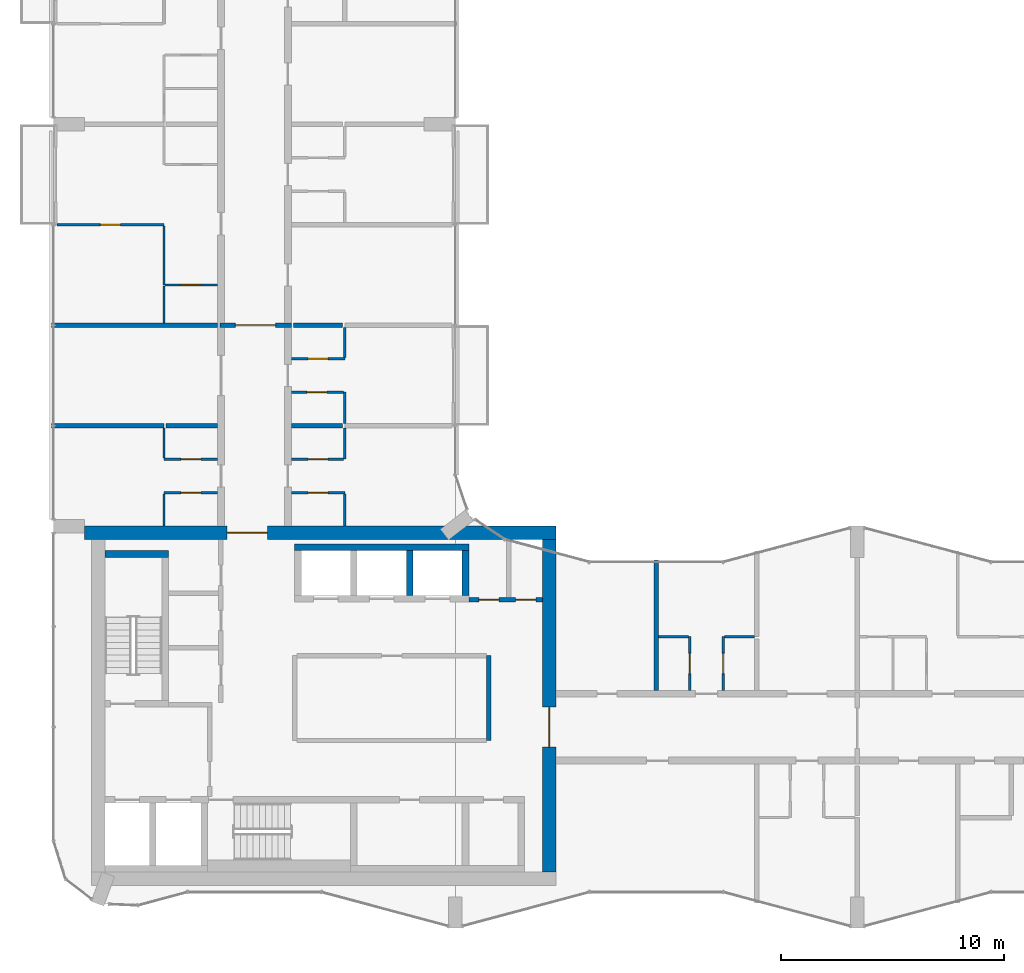
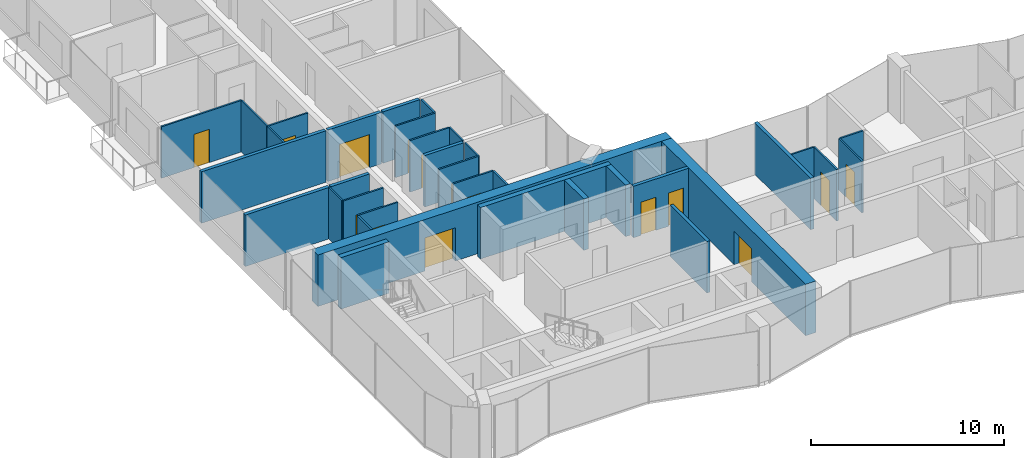
# One storey, part 10 of 15: 35 walls, 15 doors, 15 openings.
"""IFC4 building model written with IfcOpenShell, lengths in metres."""

from ifc_helpers import new_model, si_unit, direction, frame, frame_2d, origin, place, context, subcontext, project, spatial, rectangle, extrude, material, layer, layer_set, type_object, element, fill, save


model = new_model("IFC4")

# Units and contexts
model_context = context("Model", 3, precision=1e-05, world=origin(), true_north=direction((0.0, 1.0)))
body_context = subcontext(model_context, "Body", "Model", "MODEL_VIEW")
ifc_project = project(units=[si_unit("LENGTHUNIT", "METRE"), si_unit("AREAUNIT", "SQUARE_METRE"), si_unit("VOLUMEUNIT", "CUBIC_METRE"), si_unit("PLANEANGLEUNIT", "RADIAN"), si_unit("MASSUNIT", "GRAM", prefix="KILO")], contexts=[model_context])

# Site, building, storey
site_placement = place(None, origin())
site = spatial("IfcSite", under=ifc_project, at=site_placement, CompositionType="ELEMENT")
building_placement = place(site_placement, origin())
building = spatial("IfcBuilding", under=site, at=building_placement, Name="Plateau Cross Towers", CompositionType="ELEMENT")
storey_placement = place(building_placement, frame((0.0, 0.0, 170.89990234375)))
storey = spatial("IfcBuildingStorey", under=building, at=storey_placement, Name="L44", CompositionType="ELEMENT", Elevation=170.89990234375)

# Wall
ifc_material_1 = material(Name="Concrete block, plastered both sides", Category="concrete")
ifc_layer_1 = layer(ifc_material_1, 0.199951171875)
ifc_layer_set_1 = layer_set([ifc_layer_1], Name="Concrete block, plastered both sides")
wall_type_1 = type_object("IfcWallType", Name="Core partition 200", PredefinedType="PARTITIONING", material=ifc_layer_set_1)
wall_1_placement = place(storey_placement, frame((19.5, 8.39990234375, 0.0), z_axis=(0.0, 0.0, 1.0), x_axis=(0.0, 1.0, 0.0)))
element("IfcWall", 1, at=wall_1_placement, inside=storey, type_object=wall_type_1, Name="Core partition", PredefinedType="PARTITIONING", context=body_context, shape_type="SweptSolid", body=[
    extrude(rectangle(XDim=3.800048828125, YDim=0.199951171875, at=frame_2d((1.89990234375, 0.0))), origin(), (0.0, 0.0, 1.0), 3.25),
])

# Wall, openings, doors
wall_2_placement = place(storey_placement, frame((18.60009765625, 14.699951171875, 0.0), z_axis=(0.0, 0.0, 1.0), x_axis=(1.0, 0.0, 0.0)))
wall_2 = element("IfcWall", 2, at=wall_2_placement, inside=storey, type_object=wall_type_1, Name="Core partition", PredefinedType="PARTITIONING", context=body_context, shape_type="SweptSolid", body=[
    extrude(rectangle(XDim=3.2998046875, YDim=0.199951171875, at=frame_2d((1.64990234375, 0.0))), origin(), (0.0, 0.0, 1.0), 3.25),
])
opening_1_placement = place(wall_2_placement, frame((0.449951171875, 0.0, 0.0)))
opening_1 = element("IfcOpeningElement", 3, at=opening_1_placement, cuts=wall_2, Name="Opening RD2", PredefinedType="OPENING", context=body_context, shape_type="SweptSolid", body=[
    extrude(rectangle(XDim=0.89990234375, YDim=2.10009765625, at=frame_2d((0.449951171875, 1.050048828125))), frame((0.0, 0.10986328125, 0.0), z_axis=(0.0, -1.0, 0.0), x_axis=(1.0, 0.0, 0.0)), (0.0, 0.0, 1.0), 0.219970703125),
])
opening_2_placement = place(wall_2_placement, frame((2.10009765625, 0.0, 0.0)))
opening_2 = element("IfcOpeningElement", 4, at=opening_2_placement, cuts=wall_2, Name="Opening RD2", PredefinedType="OPENING", context=body_context, shape_type="SweptSolid", body=[
    extrude(rectangle(XDim=0.89990234375, YDim=2.10009765625, at=frame_2d((0.449951171875, 1.050048828125))), frame((0.0, 0.10986328125, 0.0), z_axis=(0.0, -1.0, 0.0), x_axis=(1.0, 0.0, 0.0)), (0.0, 0.0, 1.0), 0.219970703125),
])
ifc_material_2 = material(Name="Steel, fire-resisting leaf", Category="steel")
door_type_1 = type_object("IfcDoorType", Name="Core riser door 900", OperationType="NOTDEFINED", PredefinedType="DOOR", material=ifc_material_2)
door_1_placement = place(opening_1_placement, origin())
door_1 = element("IfcDoor", 5, at=door_1_placement, inside=storey, type_object=door_type_1, Name="Core riser door RD2", OperationType="SINGLE_SWING_LEFT", OverallHeight=2.10009765625, OverallWidth=0.89990234375, PredefinedType="DOOR", context=body_context, shape_type="SweptSolid", body=[
    extrude(rectangle(XDim=0.89990234375, YDim=2.10009765625, at=frame_2d((0.449951171875, 1.050048828125))), frame((0.0, 0.02490234375, 0.0), z_axis=(0.0, -1.0, 0.0), x_axis=(1.0, 0.0, 0.0)), (0.0, 0.0, 1.0), 0.050048828125),
])
fill(opening_1, door_1)
door_2_placement = place(opening_2_placement, origin())
door_2 = element("IfcDoor", 6, at=door_2_placement, inside=storey, type_object=door_type_1, Name="Core riser door RD2", OperationType="SINGLE_SWING_LEFT", OverallHeight=2.10009765625, OverallWidth=0.89990234375, PredefinedType="DOOR", context=body_context, shape_type="SweptSolid", body=[
    extrude(rectangle(XDim=0.89990234375, YDim=2.10009765625, at=frame_2d((0.449951171875, 1.050048828125))), frame((0.0, 0.02490234375, 0.0), z_axis=(0.0, -1.0, 0.0), x_axis=(1.0, 0.0, 0.0)), (0.0, 0.0, 1.0), 0.050048828125),
])
fill(opening_2, door_2)

# Walls
ifc_material_3 = material(Name="Concrete C60/75", Category="concrete")
ifc_layer_2 = layer(ifc_material_3, 0.300048828125)
ifc_layer_set_2 = layer_set([ifc_layer_2], Name="Concrete C60/75")
wall_type_2 = type_object("IfcWallType", Name="Core shaft wall 300", PredefinedType="SHEAR", material=ifc_layer_set_2)
wall_3_placement = place(storey_placement, frame((2.300048828125, 16.75, 0.0), z_axis=(0.0, 0.0, 1.0), x_axis=(1.0, 0.0, 0.0)))
element("IfcWall", 7, at=wall_3_placement, inside=storey, type_object=wall_type_2, Name="A-st1-N@L44", PredefinedType="SHEAR", context=body_context, shape_type="SweptSolid", body=[
    extrude(rectangle(XDim=2.849853515625, YDim=0.300048828125, at=frame_2d((1.4248046875, 0.0))), origin(), (0.0, 0.0, 1.0), 3.25),
])
wall_4_placement = place(storey_placement, frame((10.800048828125, 17.050048828125, 0.0), z_axis=(0.0, 0.0, 1.0), x_axis=(1.0, 0.0, 0.0)))
element("IfcWall", 8, at=wall_4_placement, inside=storey, type_object=wall_type_2, Name="A-nb-back@L44", PredefinedType="SHEAR", context=body_context, shape_type="SweptSolid", body=[
    extrude(rectangle(XDim=7.800048828125, YDim=0.300048828125, at=frame_2d((3.89990234375, 0.0))), origin(), (0.0, 0.0, 1.0), 3.25),
])
for number, where, z_axis, x_axis, name in (
    (9, (15.949951171875, 14.89990234375, 0.0), (0.0, 0.0, 1.0), (0.0, 1.0, 0.0), "A-nb-v3@L44"),
    (10, (18.449951171875, 14.89990234375, 0.0), (0.0, 0.0, 1.0), (0.0, 1.0, 0.0), "A-nb-v4@L44"),
):
    element("IfcWall", number, at=place(storey_placement, frame(where, z_axis=z_axis, x_axis=x_axis)), inside=storey, type_object=wall_type_2, Name=name, PredefinedType="SHEAR", context=body_context, shape_type="SweptSolid", body=[
        extrude(rectangle(XDim=2.0, YDim=0.300048828125, at=frame_2d((1.0, 0.0))), origin(), (0.0, 0.0, 1.0), 3.25),
    ])

# Wall, opening, door
ifc_layer_3 = layer(ifc_material_3, 0.60009765625)
ifc_layer_set_3 = layer_set([ifc_layer_3], Name="Concrete C60/75")
wall_type_3 = type_object("IfcWallType", Name="Core shell wall 600", PredefinedType="SHEAR", material=ifc_layer_set_3)
wall_5_placement = place(storey_placement, frame((1.3798828125, 17.699951171875, 0.0), z_axis=(0.0, 0.0, 1.0), x_axis=(1.0, 0.0, 0.0)))
wall_5 = element("IfcWall", 11, at=wall_5_placement, inside=storey, type_object=wall_type_3, Name="A-core-N@L44", PredefinedType="SHEAR", context=body_context, shape_type="SweptSolid", body=[
    extrude(rectangle(XDim=21.1201171875, YDim=0.60009765625, at=frame_2d((10.56005859375, 0.0))), origin(), (0.0, 0.0, 1.0), 3.25),
])
opening_3_placement = place(wall_5_placement, frame((6.39990234375, 0.0, 0.0)))
opening_3 = element("IfcOpeningElement", 12, at=opening_3_placement, cuts=wall_5, Name="Opening CD", PredefinedType="OPENING", context=body_context, shape_type="SweptSolid", body=[
    extrude(rectangle(XDim=1.800048828125, YDim=2.10009765625, at=frame_2d((0.89990234375, 1.050048828125))), frame((0.0, 0.31005859375, 0.0), z_axis=(0.0, -1.0, 0.0), x_axis=(1.0, 0.0, 0.0)), (0.0, 0.0, 1.0), 0.6201171875),
])
ifc_material_4 = material(Name="Steel, fire-resisting leaves", Category="steel")
door_type_2 = type_object("IfcDoorType", Name="Corridor door pair 1800", OperationType="NOTDEFINED", PredefinedType="DOOR", material=ifc_material_4)
door_3_placement = place(opening_3_placement, origin())
door_3 = element("IfcDoor", 13, at=door_3_placement, inside=storey, type_object=door_type_2, Name="Corridor door pair CD", OperationType="DOUBLE_DOOR_SINGLE_SWING", OverallHeight=2.10009765625, OverallWidth=1.800048828125, PredefinedType="DOOR", context=body_context, shape_type="SweptSolid", body=[
    extrude(rectangle(XDim=1.800048828125, YDim=2.10009765625, at=frame_2d((0.89990234375, 1.050048828125))), frame((0.0, 0.02490234375, 0.0), z_axis=(0.0, -1.0, 0.0), x_axis=(1.0, 0.0, 0.0)), (0.0, 0.0, 1.0), 0.050048828125),
])
fill(opening_3, door_3)

wall_6_placement = place(storey_placement, frame((22.199951171875, 2.5, 0.0), z_axis=(0.0, 0.0, 1.0), x_axis=(0.0, 1.0, 0.0)))
wall_6 = element("IfcWall", 14, at=wall_6_placement, inside=storey, type_object=wall_type_3, Name="A-core-E@L44", PredefinedType="SHEAR", context=body_context, shape_type="SweptSolid", body=[
    extrude(rectangle(XDim=14.89990234375, YDim=0.60009765625, at=frame_2d((7.449951171875, 0.0))), origin(), (0.0, 0.0, 1.0), 3.25),
])
opening_4_placement = place(wall_6_placement, frame((5.60009765625, 0.0, 0.0)))
opening_4 = element("IfcOpeningElement", 15, at=opening_4_placement, cuts=wall_6, Name="Opening CD", PredefinedType="OPENING", context=body_context, shape_type="SweptSolid", body=[
    extrude(rectangle(XDim=1.800048828125, YDim=2.10009765625, at=frame_2d((0.89990234375, 1.050048828125))), frame((0.0, 0.31005859375, 0.0), z_axis=(0.0, -1.0, 0.0), x_axis=(1.0, 0.0, 0.0)), (0.0, 0.0, 1.0), 0.6201171875),
])
door_4_placement = place(opening_4_placement, origin())
door_4 = element("IfcDoor", 16, at=door_4_placement, inside=storey, type_object=door_type_2, Name="Corridor door pair CD", OperationType="DOUBLE_DOOR_SINGLE_SWING", OverallHeight=2.10009765625, OverallWidth=1.800048828125, PredefinedType="DOOR", context=body_context, shape_type="SweptSolid", body=[
    extrude(rectangle(XDim=1.800048828125, YDim=2.10009765625, at=frame_2d((0.89990234375, 1.050048828125))), frame((0.0, 0.02490234375, 0.0), z_axis=(0.0, -1.0, 0.0), x_axis=(1.0, 0.0, 0.0)), (0.0, 0.0, 1.0), 0.050048828125),
])
fill(opening_4, door_4)

# Walls
ifc_material_5 = material(Name="Gypsum board on steel studs", Category="steel")
ifc_layer_4 = layer(ifc_material_5, 0.10009765625)
ifc_layer_set_4 = layer_set([ifc_layer_4], Name="Gypsum board on steel studs")
wall_type_4 = type_object("IfcWallType", Name="Flat partition 100", PredefinedType="PARTITIONING", material=ifc_layer_set_4)
for number, where, z_axis, x_axis, name in (
    (17, (28.449951171875, 13.050048828125, 0.0), (0.0, 0.0, 1.0), (-1.0, 0.0, 0.0), "Partition wall"),
    (18, (31.39990234375, 13.050048828125, 0.0), (0.0, 0.0, 1.0), (-1.0, 0.0, 0.0), "Partition wall"),
):
    element("IfcWall", number, at=place(storey_placement, frame(where, z_axis=z_axis, x_axis=x_axis)), inside=storey, type_object=wall_type_4, Name=name, PredefinedType="PARTITIONING", context=body_context, shape_type="SweptSolid", body=[
        extrude(rectangle(XDim=1.349853515625, YDim=0.10009765625, at=frame_2d((0.6748046875, 0.0))), origin(), (0.0, 0.0, 1.0), 3.25),
    ])

# Wall, opening, door
wall_7_placement = place(storey_placement, frame((7.35009765625, 19.5, 0.0), z_axis=(0.0, 0.0, 1.0), x_axis=(-1.0, 0.0, 0.0)))
wall_7 = element("IfcWall", 19, at=wall_7_placement, inside=storey, type_object=wall_type_4, Name="Partition wall", PredefinedType="PARTITIONING", context=body_context, shape_type="SweptSolid", body=[
    extrude(rectangle(XDim=2.400146484375, YDim=0.10009765625, at=frame_2d((1.2001953125, 0.0))), origin(), (0.0, 0.0, 1.0), 3.25),
])
opening_5_placement = place(wall_7_placement, frame((0.75, 0.0, 0.0)))
opening_5 = element("IfcOpeningElement", 20, at=opening_5_placement, cuts=wall_7, Name="Opening 44-34", PredefinedType="OPENING", context=body_context, shape_type="SweptSolid", body=[
    extrude(rectangle(XDim=0.89990234375, YDim=2.10009765625, at=frame_2d((0.449951171875, 1.050048828125))), frame((0.0, 0.06005859375, 0.0), z_axis=(0.0, -1.0, 0.0), x_axis=(1.0, 0.0, 0.0)), (0.0, 0.0, 1.0), 0.1201171875),
])
ifc_material_6 = material(Name="Timber leaf", Category="wood")
door_type_3 = type_object("IfcDoorType", Name="Flat room door 900", OperationType="NOTDEFINED", PredefinedType="DOOR", material=ifc_material_6)
door_5_placement = place(opening_5_placement, origin())
door_5 = element("IfcDoor", 21, at=door_5_placement, inside=storey, type_object=door_type_3, Name="Door 44-34", OperationType="SINGLE_SWING_RIGHT", OverallHeight=2.10009765625, OverallWidth=0.89990234375, PredefinedType="DOOR", context=body_context, shape_type="SweptSolid", body=[
    extrude(rectangle(XDim=0.89990234375, YDim=2.10009765625, at=frame_2d((0.449951171875, 1.050048828125))), frame((0.0, 0.02490234375, 0.0), z_axis=(0.0, -1.0, 0.0), x_axis=(1.0, 0.0, 0.0)), (0.0, 0.0, 1.0), 0.050048828125),
])
fill(opening_5, door_5)

wall_8_placement = place(storey_placement, frame((13.050048828125, 19.5, 0.0), z_axis=(0.0, 0.0, 1.0), x_axis=(-1.0, 0.0, 0.0)))
wall_8 = element("IfcWall", 22, at=wall_8_placement, inside=storey, type_object=wall_type_4, Name="Partition wall", PredefinedType="PARTITIONING", context=body_context, shape_type="SweptSolid", body=[
    extrude(rectangle(XDim=2.400146484375, YDim=0.10009765625, at=frame_2d((1.2001953125, 0.0))), origin(), (0.0, 0.0, 1.0), 3.25),
])
opening_6_placement = place(wall_8_placement, frame((0.75, 0.0, 0.0)))
opening_6 = element("IfcOpeningElement", 23, at=opening_6_placement, cuts=wall_8, Name="Opening 44-44", PredefinedType="OPENING", context=body_context, shape_type="SweptSolid", body=[
    extrude(rectangle(XDim=0.89990234375, YDim=2.10009765625, at=frame_2d((0.449951171875, 1.050048828125))), frame((0.0, 0.06005859375, 0.0), z_axis=(0.0, -1.0, 0.0), x_axis=(1.0, 0.0, 0.0)), (0.0, 0.0, 1.0), 0.1201171875),
])
door_6_placement = place(opening_6_placement, origin())
door_6 = element("IfcDoor", 24, at=door_6_placement, inside=storey, type_object=door_type_3, Name="Door 44-44", OperationType="SINGLE_SWING_LEFT", OverallHeight=2.10009765625, OverallWidth=0.89990234375, PredefinedType="DOOR", context=body_context, shape_type="SweptSolid", body=[
    extrude(rectangle(XDim=0.89990234375, YDim=2.10009765625, at=frame_2d((0.449951171875, 1.050048828125))), frame((0.0, 0.02490234375, 0.0), z_axis=(0.0, -1.0, 0.0), x_axis=(1.0, 0.0, 0.0)), (0.0, 0.0, 1.0), 0.050048828125),
])
fill(opening_6, door_6)

wall_9_placement = place(storey_placement, frame((4.949951171875, 21.0, 0.0), z_axis=(0.0, 0.0, 1.0), x_axis=(1.0, 0.0, 0.0)))
wall_9 = element("IfcWall", 25, at=wall_9_placement, inside=storey, type_object=wall_type_4, Name="Partition wall", PredefinedType="PARTITIONING", context=body_context, shape_type="SweptSolid", body=[
    extrude(rectangle(XDim=2.400146484375, YDim=0.10009765625, at=frame_2d((1.2001953125, 0.0))), origin(), (0.0, 0.0, 1.0), 3.25),
])
opening_7_placement = place(wall_9_placement, frame((0.75, 0.0, 0.0)))
opening_7 = element("IfcOpeningElement", 26, at=opening_7_placement, cuts=wall_9, Name="Opening 44-35", PredefinedType="OPENING", context=body_context, shape_type="SweptSolid", body=[
    extrude(rectangle(XDim=0.89990234375, YDim=2.10009765625, at=frame_2d((0.449951171875, 1.050048828125))), frame((0.0, 0.06005859375, 0.0), z_axis=(0.0, -1.0, 0.0), x_axis=(1.0, 0.0, 0.0)), (0.0, 0.0, 1.0), 0.1201171875),
])
door_7_placement = place(opening_7_placement, origin())
door_7 = element("IfcDoor", 27, at=door_7_placement, inside=storey, type_object=door_type_3, Name="Door 44-35", OperationType="SINGLE_SWING_RIGHT", OverallHeight=2.10009765625, OverallWidth=0.89990234375, PredefinedType="DOOR", context=body_context, shape_type="SweptSolid", body=[
    extrude(rectangle(XDim=0.89990234375, YDim=2.10009765625, at=frame_2d((0.449951171875, 1.050048828125))), frame((0.0, 0.02490234375, 0.0), z_axis=(0.0, -1.0, 0.0), x_axis=(1.0, 0.0, 0.0)), (0.0, 0.0, 1.0), 0.050048828125),
])
fill(opening_7, door_7)

wall_10_placement = place(storey_placement, frame((10.64990234375, 21.0, 0.0), z_axis=(0.0, 0.0, 1.0), x_axis=(1.0, 0.0, 0.0)))
wall_10 = element("IfcWall", 28, at=wall_10_placement, inside=storey, type_object=wall_type_4, Name="Partition wall", PredefinedType="PARTITIONING", context=body_context, shape_type="SweptSolid", body=[
    extrude(rectangle(XDim=2.35009765625, YDim=0.10009765625, at=frame_2d((1.175048828125, 0.0))), origin(), (0.0, 0.0, 1.0), 3.25),
])
opening_8_placement = place(wall_10_placement, frame((0.75, 0.0, 0.0)))
opening_8 = element("IfcOpeningElement", 29, at=opening_8_placement, cuts=wall_10, Name="Opening 44-45", PredefinedType="OPENING", context=body_context, shape_type="SweptSolid", body=[
    extrude(rectangle(XDim=0.89990234375, YDim=2.10009765625, at=frame_2d((0.449951171875, 1.050048828125))), frame((0.0, 0.06005859375, 0.0), z_axis=(0.0, -1.0, 0.0), x_axis=(1.0, 0.0, 0.0)), (0.0, 0.0, 1.0), 0.1201171875),
])
door_8_placement = place(opening_8_placement, origin())
door_8 = element("IfcDoor", 30, at=door_8_placement, inside=storey, type_object=door_type_3, Name="Door 44-45", OperationType="SINGLE_SWING_RIGHT", OverallHeight=2.10009765625, OverallWidth=0.89990234375, PredefinedType="DOOR", context=body_context, shape_type="SweptSolid", body=[
    extrude(rectangle(XDim=0.89990234375, YDim=2.10009765625, at=frame_2d((0.449951171875, 1.050048828125))), frame((0.0, 0.02490234375, 0.0), z_axis=(0.0, -1.0, 0.0), x_axis=(1.0, 0.0, 0.0)), (0.0, 0.0, 1.0), 0.050048828125),
])
fill(opening_8, door_8)

wall_11_placement = place(storey_placement, frame((13.0, 24.0, 0.0), z_axis=(0.0, 0.0, 1.0), x_axis=(-1.0, 0.0, 0.0)))
wall_11 = element("IfcWall", 31, at=wall_11_placement, inside=storey, type_object=wall_type_4, Name="Partition wall", PredefinedType="PARTITIONING", context=body_context, shape_type="SweptSolid", body=[
    extrude(rectangle(XDim=2.35009765625, YDim=0.10009765625, at=frame_2d((1.175048828125, 0.0))), origin(), (0.0, 0.0, 1.0), 3.25),
])
opening_9_placement = place(wall_11_placement, frame((0.75, 0.0, 0.0)))
opening_9 = element("IfcOpeningElement", 32, at=opening_9_placement, cuts=wall_11, Name="Opening 44-46", PredefinedType="OPENING", context=body_context, shape_type="SweptSolid", body=[
    extrude(rectangle(XDim=0.89990234375, YDim=2.10009765625, at=frame_2d((0.449951171875, 1.050048828125))), frame((0.0, 0.06005859375, 0.0), z_axis=(0.0, -1.0, 0.0), x_axis=(1.0, 0.0, 0.0)), (0.0, 0.0, 1.0), 0.1201171875),
])
door_9_placement = place(opening_9_placement, origin())
door_9 = element("IfcDoor", 33, at=door_9_placement, inside=storey, type_object=door_type_3, Name="Door 44-46", OperationType="SINGLE_SWING_RIGHT", OverallHeight=2.10009765625, OverallWidth=0.89990234375, PredefinedType="DOOR", context=body_context, shape_type="SweptSolid", body=[
    extrude(rectangle(XDim=0.89990234375, YDim=2.10009765625, at=frame_2d((0.449951171875, 1.050048828125))), frame((0.0, 0.02490234375, 0.0), z_axis=(0.0, -1.0, 0.0), x_axis=(1.0, 0.0, 0.0)), (0.0, 0.0, 1.0), 0.050048828125),
])
fill(opening_9, door_9)

wall_12_placement = place(storey_placement, frame((10.64990234375, 25.5, 0.0), z_axis=(0.0, 0.0, 1.0), x_axis=(1.0, 0.0, 0.0)))
wall_12 = element("IfcWall", 34, at=wall_12_placement, inside=storey, type_object=wall_type_4, Name="Partition wall", PredefinedType="PARTITIONING", context=body_context, shape_type="SweptSolid", body=[
    extrude(rectangle(XDim=2.400146484375, YDim=0.10009765625, at=frame_2d((1.2001953125, 0.0))), origin(), (0.0, 0.0, 1.0), 3.25),
])
opening_10_placement = place(wall_12_placement, frame((0.75, 0.0, 0.0)))
opening_10 = element("IfcOpeningElement", 35, at=opening_10_placement, cuts=wall_12, Name="Opening 44-47", PredefinedType="OPENING", context=body_context, shape_type="SweptSolid", body=[
    extrude(rectangle(XDim=0.89990234375, YDim=2.10009765625, at=frame_2d((0.449951171875, 1.050048828125))), frame((0.0, 0.06005859375, 0.0), z_axis=(0.0, -1.0, 0.0), x_axis=(1.0, 0.0, 0.0)), (0.0, 0.0, 1.0), 0.1201171875),
])
door_10_placement = place(opening_10_placement, origin())
door_10 = element("IfcDoor", 36, at=door_10_placement, inside=storey, type_object=door_type_3, Name="Door 44-47", OperationType="SINGLE_SWING_LEFT", OverallHeight=2.10009765625, OverallWidth=0.89990234375, PredefinedType="DOOR", context=body_context, shape_type="SweptSolid", body=[
    extrude(rectangle(XDim=0.89990234375, YDim=2.10009765625, at=frame_2d((0.449951171875, 1.050048828125))), frame((0.0, 0.02490234375, 0.0), z_axis=(0.0, -1.0, 0.0), x_axis=(1.0, 0.0, 0.0)), (0.0, 0.0, 1.0), 0.050048828125),
])
fill(opening_10, door_10)

wall_13_placement = place(storey_placement, frame((7.35009765625, 28.800048828125, 0.0), z_axis=(0.0, 0.0, 1.0), x_axis=(-1.0, 0.0, 0.0)))
wall_13 = element("IfcWall", 37, at=wall_13_placement, inside=storey, type_object=wall_type_4, Name="Partition wall", PredefinedType="PARTITIONING", context=body_context, shape_type="SweptSolid", body=[
    extrude(rectangle(XDim=2.35009765625, YDim=0.10009765625, at=frame_2d((1.175048828125, 0.0))), origin(), (0.0, 0.0, 1.0), 3.25),
])
opening_11_placement = place(wall_13_placement, frame((0.75, 0.0, 0.0)))
opening_11 = element("IfcOpeningElement", 38, at=opening_11_placement, cuts=wall_13, Name="Opening 44-36", PredefinedType="OPENING", context=body_context, shape_type="SweptSolid", body=[
    extrude(rectangle(XDim=0.89990234375, YDim=2.10009765625, at=frame_2d((0.449951171875, 1.050048828125))), frame((0.0, 0.06005859375, 0.0), z_axis=(0.0, -1.0, 0.0), x_axis=(1.0, 0.0, 0.0)), (0.0, 0.0, 1.0), 0.1201171875),
])
door_11_placement = place(opening_11_placement, origin())
door_11 = element("IfcDoor", 39, at=door_11_placement, inside=storey, type_object=door_type_3, Name="Door 44-36", OperationType="SINGLE_SWING_RIGHT", OverallHeight=2.10009765625, OverallWidth=0.89990234375, PredefinedType="DOOR", context=body_context, shape_type="SweptSolid", body=[
    extrude(rectangle(XDim=0.89990234375, YDim=2.10009765625, at=frame_2d((0.449951171875, 1.050048828125))), frame((0.0, 0.02490234375, 0.0), z_axis=(0.0, -1.0, 0.0), x_axis=(1.0, 0.0, 0.0)), (0.0, 0.0, 1.0), 0.050048828125),
])
fill(opening_11, door_11)

wall_14_placement = place(storey_placement, frame((4.949951171875, 31.5, 0.0), z_axis=(0.0, 0.0, 1.0), x_axis=(-1.0, 0.0, 0.0)))
wall_14 = element("IfcWall", 40, at=wall_14_placement, inside=storey, type_object=wall_type_4, Name="Partition wall", PredefinedType="PARTITIONING", context=body_context, shape_type="SweptSolid", body=[
    extrude(rectangle(XDim=4.800048828125, YDim=0.10009765625, at=frame_2d((2.39990234375, 0.0))), origin(), (0.0, 0.0, 1.0), 3.25),
])
opening_12_placement = place(wall_14_placement, frame((1.949951171875, 0.0, 0.0)))
opening_12 = element("IfcOpeningElement", 41, at=opening_12_placement, cuts=wall_14, Name="Opening 44-38", PredefinedType="OPENING", context=body_context, shape_type="SweptSolid", body=[
    extrude(rectangle(XDim=0.89990234375, YDim=2.10009765625, at=frame_2d((0.449951171875, 1.050048828125))), frame((0.0, 0.06005859375, 0.0), z_axis=(0.0, -1.0, 0.0), x_axis=(1.0, 0.0, 0.0)), (0.0, 0.0, 1.0), 0.1201171875),
])
door_12_placement = place(opening_12_placement, origin())
door_12 = element("IfcDoor", 42, at=door_12_placement, inside=storey, type_object=door_type_3, Name="Door 44-38", OperationType="SINGLE_SWING_LEFT", OverallHeight=2.10009765625, OverallWidth=0.89990234375, PredefinedType="DOOR", context=body_context, shape_type="SweptSolid", body=[
    extrude(rectangle(XDim=0.89990234375, YDim=2.10009765625, at=frame_2d((0.449951171875, 1.050048828125))), frame((0.0, 0.02490234375, 0.0), z_axis=(0.0, -1.0, 0.0), x_axis=(1.0, 0.0, 0.0)), (0.0, 0.0, 1.0), 0.050048828125),
])
fill(opening_12, door_12)

# Walls
wall_15_placement = place(storey_placement, frame((4.949951171875, 19.449951171875, 0.0), z_axis=(0.0, 0.0, 1.0), x_axis=(0.0, -1.0, 0.0)))
element("IfcWall", 43, at=wall_15_placement, inside=storey, type_object=wall_type_4, Name="Partition wall", PredefinedType="PARTITIONING", context=body_context, shape_type="SweptSolid", body=[
    extrude(rectangle(XDim=1.449951171875, YDim=0.10009765625, at=frame_2d((0.72509765625, 0.0))), origin(), (0.0, 0.0, 1.0), 3.25),
])
wall_16_placement = place(storey_placement, frame((4.949951171875, 22.39990234375, 0.0), z_axis=(0.0, 0.0, 1.0), x_axis=(0.0, -1.0, 0.0)))
element("IfcWall", 44, at=wall_16_placement, inside=storey, type_object=wall_type_4, Name="Partition wall", PredefinedType="PARTITIONING", context=body_context, shape_type="SweptSolid", body=[
    extrude(rectangle(XDim=1.349853515625, YDim=0.10009765625, at=frame_2d((0.6748046875, 0.0))), origin(), (0.0, 0.0, 1.0), 3.25),
])
wall_17_placement = place(storey_placement, frame((4.949951171875, 28.75, 0.0), z_axis=(0.0, 0.0, 1.0), x_axis=(0.0, -1.0, 0.0)))
element("IfcWall", 45, at=wall_17_placement, inside=storey, type_object=wall_type_4, Name="Partition wall", PredefinedType="PARTITIONING", context=body_context, shape_type="SweptSolid", body=[
    extrude(rectangle(XDim=1.64990234375, YDim=0.10009765625, at=frame_2d((0.824951171875, 0.0))), origin(), (0.0, 0.0, 1.0), 3.25),
])
wall_18_placement = place(storey_placement, frame((4.949951171875, 28.800048828125, 0.0), z_axis=(0.0, 0.0, 1.0), x_axis=(0.0, 1.0, 0.0)))
element("IfcWall", 46, at=wall_18_placement, inside=storey, type_object=wall_type_4, Name="Partition wall", PredefinedType="PARTITIONING", context=body_context, shape_type="SweptSolid", body=[
    extrude(rectangle(XDim=2.64990234375, YDim=0.10009765625, at=frame_2d((1.324951171875, 0.0))), origin(), (0.0, 0.0, 1.0), 3.25),
])
wall_19_placement = place(storey_placement, frame((13.050048828125, 18.0, 0.0), z_axis=(0.0, 0.0, 1.0), x_axis=(0.0, 1.0, 0.0)))
element("IfcWall", 47, at=wall_19_placement, inside=storey, type_object=wall_type_4, Name="Partition wall", PredefinedType="PARTITIONING", context=body_context, shape_type="SweptSolid", body=[
    extrude(rectangle(XDim=1.449951171875, YDim=0.10009765625, at=frame_2d((0.72509765625, 0.0))), origin(), (0.0, 0.0, 1.0), 3.25),
])
for number, where, z_axis, x_axis, name in (
    (48, (13.050048828125, 21.0, 0.0), (0.0, 0.0, 1.0), (0.0, 1.0, 0.0), "Partition wall"),
    (49, (13.050048828125, 22.60009765625, 0.0), (0.0, 0.0, 1.0), (0.0, 1.0, 0.0), "Partition wall"),
):
    element("IfcWall", number, at=place(storey_placement, frame(where, z_axis=z_axis, x_axis=x_axis)), inside=storey, type_object=wall_type_4, Name=name, PredefinedType="PARTITIONING", context=body_context, shape_type="SweptSolid", body=[
        extrude(rectangle(XDim=1.39990234375, YDim=0.10009765625, at=frame_2d((0.699951171875, 0.0))), origin(), (0.0, 0.0, 1.0), 3.25),
    ])
wall_20_placement = place(storey_placement, frame((13.050048828125, 25.550048828125, 0.0), z_axis=(0.0, 0.0, 1.0), x_axis=(0.0, 1.0, 0.0)))
element("IfcWall", 50, at=wall_20_placement, inside=storey, type_object=wall_type_4, Name="Partition wall", PredefinedType="PARTITIONING", context=body_context, shape_type="SweptSolid", body=[
    extrude(rectangle(XDim=1.349853515625, YDim=0.10009765625, at=frame_2d((0.6748046875, 0.0))), origin(), (0.0, 0.0, 1.0), 3.25),
])

# Wall, opening, door
wall_21_placement = place(storey_placement, frame((28.5, 10.64990234375, 0.0), z_axis=(0.0, 0.0, 1.0), x_axis=(0.0, 1.0, 0.0)))
wall_21 = element("IfcWall", 51, at=wall_21_placement, inside=storey, type_object=wall_type_4, Name="Partition wall", PredefinedType="PARTITIONING", context=body_context, shape_type="SweptSolid", body=[
    extrude(rectangle(XDim=2.400146484375, YDim=0.10009765625, at=frame_2d((1.2001953125, 0.0))), origin(), (0.0, 0.0, 1.0), 3.25),
])
opening_13_placement = place(wall_21_placement, frame((0.75, 0.0, 0.0)))
opening_13 = element("IfcOpeningElement", 52, at=opening_13_placement, cuts=wall_21, Name="Opening 44-27", PredefinedType="OPENING", context=body_context, shape_type="SweptSolid", body=[
    extrude(rectangle(XDim=0.89990234375, YDim=2.10009765625, at=frame_2d((0.449951171875, 1.050048828125))), frame((0.0, 0.06005859375, 0.0), z_axis=(0.0, -1.0, 0.0), x_axis=(1.0, 0.0, 0.0)), (0.0, 0.0, 1.0), 0.1201171875),
])
door_13_placement = place(opening_13_placement, origin())
door_13 = element("IfcDoor", 53, at=door_13_placement, inside=storey, type_object=door_type_3, Name="Door 44-27", OperationType="SINGLE_SWING_LEFT", OverallHeight=2.10009765625, OverallWidth=0.89990234375, PredefinedType="DOOR", context=body_context, shape_type="SweptSolid", body=[
    extrude(rectangle(XDim=0.89990234375, YDim=2.10009765625, at=frame_2d((0.449951171875, 1.050048828125))), frame((0.0, 0.02490234375, 0.0), z_axis=(0.0, -1.0, 0.0), x_axis=(1.0, 0.0, 0.0)), (0.0, 0.0, 1.0), 0.050048828125),
])
fill(opening_13, door_13)

wall_22_placement = place(storey_placement, frame((30.0, 13.050048828125, 0.0), z_axis=(0.0, 0.0, 1.0), x_axis=(0.0, -1.0, 0.0)))
wall_22 = element("IfcWall", 54, at=wall_22_placement, inside=storey, type_object=wall_type_4, Name="Partition wall", PredefinedType="PARTITIONING", context=body_context, shape_type="SweptSolid", body=[
    extrude(rectangle(XDim=2.400146484375, YDim=0.10009765625, at=frame_2d((1.2001953125, 0.0))), origin(), (0.0, 0.0, 1.0), 3.25),
])
opening_14_placement = place(wall_22_placement, frame((0.75, 0.0, 0.0)))
opening_14 = element("IfcOpeningElement", 55, at=opening_14_placement, cuts=wall_22, Name="Opening 44-28", PredefinedType="OPENING", context=body_context, shape_type="SweptSolid", body=[
    extrude(rectangle(XDim=0.89990234375, YDim=2.10009765625, at=frame_2d((0.449951171875, 1.050048828125))), frame((0.0, 0.06005859375, 0.0), z_axis=(0.0, -1.0, 0.0), x_axis=(1.0, 0.0, 0.0)), (0.0, 0.0, 1.0), 0.1201171875),
])
door_14_placement = place(opening_14_placement, origin())
door_14 = element("IfcDoor", 56, at=door_14_placement, inside=storey, type_object=door_type_3, Name="Door 44-28", OperationType="SINGLE_SWING_LEFT", OverallHeight=2.10009765625, OverallWidth=0.89990234375, PredefinedType="DOOR", context=body_context, shape_type="SweptSolid", body=[
    extrude(rectangle(XDim=0.89990234375, YDim=2.10009765625, at=frame_2d((0.449951171875, 1.050048828125))), frame((0.0, 0.02490234375, 0.0), z_axis=(0.0, -1.0, 0.0), x_axis=(1.0, 0.0, 0.0)), (0.0, 0.0, 1.0), 0.050048828125),
])
fill(opening_14, door_14)

# Walls
ifc_material_7 = material(Name="Gypsum board on steel studs, two layers each side", Category="steel")
ifc_layer_5 = layer(ifc_material_7, 0.199951171875)
ifc_layer_set_5 = layer_set([ifc_layer_5], Name="Gypsum board on steel studs, two layers each side")
wall_type_5 = type_object("IfcWallType", Name="Flat party wall 200", PredefinedType="PARTITIONING", material=ifc_layer_set_5)
for number, where, z_axis, x_axis, name in (
    (57, (7.35009765625, 22.5, 0.0), (0.0, 0.0, 1.0), (-1.0, 0.0, 0.0), "Party wall"),
    (58, (12.949951171875, 22.5, 0.0), (0.0, 0.0, 1.0), (-1.0, 0.0, 0.0), "Party wall"),
):
    element("IfcWall", number, at=place(storey_placement, frame(where, z_axis=z_axis, x_axis=x_axis)), inside=storey, type_object=wall_type_5, Name=name, PredefinedType="PARTITIONING", context=body_context, shape_type="SweptSolid", body=[
        extrude(rectangle(XDim=2.300048828125, YDim=0.199951171875, at=frame_2d((1.14990234375, 0.0))), origin(), (0.0, 0.0, 1.0), 3.25),
    ])
wall_23_placement = place(storey_placement, frame((-0.080078125, 22.5, 0.0), z_axis=(0.0, 0.0, 1.0), x_axis=(1.0, 0.0, 0.0)))
element("IfcWall", 59, at=wall_23_placement, inside=storey, type_object=wall_type_5, Name="Party wall", PredefinedType="PARTITIONING", context=body_context, shape_type="SweptSolid", body=[
    extrude(rectangle(XDim=5.030029296875, YDim=0.199951171875, at=frame_2d((2.51513671875, 0.0))), origin(), (0.0, 0.0, 1.0), 3.25),
])
wall_24_placement = place(storey_placement, frame((7.35009765625, 27.0, 0.0), z_axis=(0.0, 0.0, 1.0), x_axis=(-1.0, 0.0, 0.0)))
element("IfcWall", 60, at=wall_24_placement, inside=storey, type_object=wall_type_5, Name="Party wall", PredefinedType="PARTITIONING", context=body_context, shape_type="SweptSolid", body=[
    extrude(rectangle(XDim=7.43017578125, YDim=0.199951171875, at=frame_2d((3.715087890625, 0.0))), origin(), (0.0, 0.0, 1.0), 3.25),
])
wall_25_placement = place(storey_placement, frame((12.949951171875, 27.0, 0.0), z_axis=(0.0, 0.0, 1.0), x_axis=(-1.0, 0.0, 0.0)))
element("IfcWall", 61, at=wall_25_placement, inside=storey, type_object=wall_type_5, Name="Party wall", PredefinedType="PARTITIONING", context=body_context, shape_type="SweptSolid", body=[
    extrude(rectangle(XDim=2.199951171875, YDim=0.199951171875, at=frame_2d((1.10009765625, 0.0))), origin(), (0.0, 0.0, 1.0), 3.25),
])
wall_26_placement = place(storey_placement, frame((27.0, 10.64990234375, 0.0), z_axis=(0.0, 0.0, 1.0), x_axis=(0.0, 1.0, 0.0)))
element("IfcWall", 62, at=wall_26_placement, inside=storey, type_object=wall_type_5, Name="Party wall", PredefinedType="PARTITIONING", context=body_context, shape_type="SweptSolid", body=[
    extrude(rectangle(XDim=5.8232421875, YDim=0.199951171875, at=frame_2d((2.91162109375, 0.0))), origin(), (0.0, 0.0, 1.0), 3.25),
])

# Wall, opening, door
wall_27_placement = place(storey_placement, frame((7.449951171875, 27.0, 0.0), z_axis=(0.0, 0.0, 1.0), x_axis=(1.0, 0.0, 0.0)))
wall_27 = element("IfcWall", 63, at=wall_27_placement, inside=storey, type_object=wall_type_5, Name="Party wall", PredefinedType="PARTITIONING", context=body_context, shape_type="SweptSolid", body=[
    extrude(rectangle(XDim=3.199951171875, YDim=0.199951171875, at=frame_2d((1.60009765625, 0.0))), origin(), (0.0, 0.0, 1.0), 3.25),
])
opening_15_placement = place(wall_27_placement, frame((0.699951171875, 0.0, 0.0)))
opening_15 = element("IfcOpeningElement", 64, at=opening_15_placement, cuts=wall_27, Name="Opening 44-22", PredefinedType="OPENING", context=body_context, shape_type="SweptSolid", body=[
    extrude(rectangle(XDim=1.800048828125, YDim=2.10009765625, at=frame_2d((0.89990234375, 1.050048828125))), frame((0.0, 0.10986328125, 0.0), z_axis=(0.0, -1.0, 0.0), x_axis=(1.0, 0.0, 0.0)), (0.0, 0.0, 1.0), 0.219970703125),
])
ifc_material_8 = material(Name="Timber, fire-resisting leaves", Category="wood")
door_type_4 = type_object("IfcDoorType", Name="Flat floor fire door pair 1800", OperationType="NOTDEFINED", PredefinedType="DOOR", material=ifc_material_8)
door_15_placement = place(opening_15_placement, origin())
door_15 = element("IfcDoor", 65, at=door_15_placement, inside=storey, type_object=door_type_4, Name="Door 44-22", OperationType="SINGLE_SWING_LEFT", OverallHeight=2.10009765625, OverallWidth=1.800048828125, PredefinedType="DOOR", context=body_context, shape_type="SweptSolid", body=[
    extrude(rectangle(XDim=1.800048828125, YDim=2.10009765625, at=frame_2d((0.89990234375, 1.050048828125))), frame((0.0, 0.02490234375, 0.0), z_axis=(0.0, -1.0, 0.0), x_axis=(1.0, 0.0, 0.0)), (0.0, 0.0, 1.0), 0.050048828125),
])
fill(opening_15, door_15)

save(model, "model.ifc")
